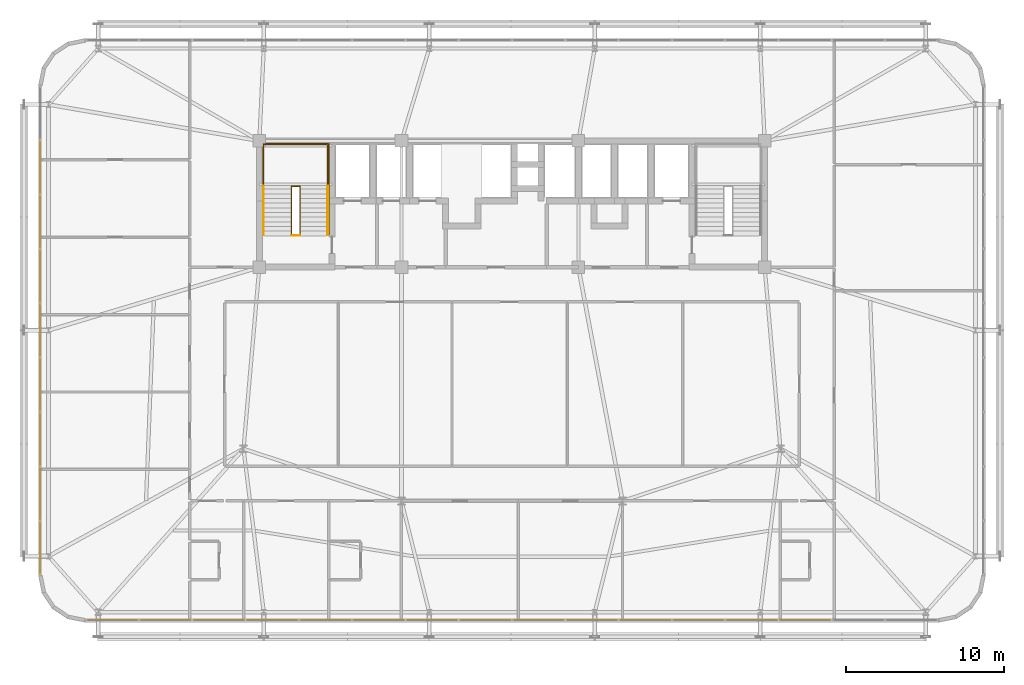
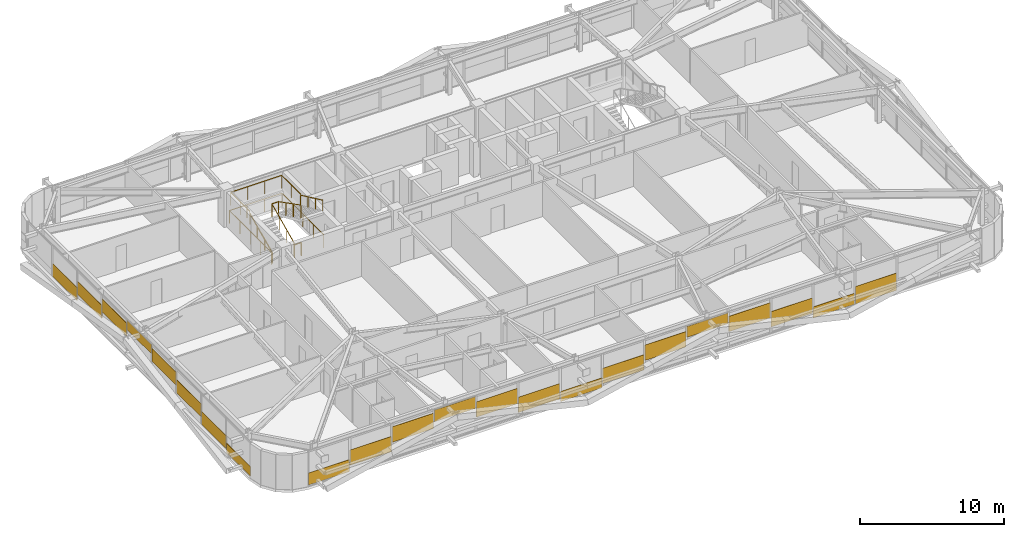
# One storey, part 56 of 58: 22 coverings, 6 railings.
"""IFC4 building model written with IfcOpenShell, lengths in metres."""

from ifc_helpers import new_model, si_unit, direction, frame, origin, origin_2d, place, context, subcontext, project, spatial, rectangle, extrude, source, transform, mapped, material, layer, layer_set, type_object, element, save


model = new_model("IFC4")

# Units and contexts
model_context = context("Model", 3, precision=1e-05, world=origin(), true_north=direction((0.0, 1.0)))
body_context = subcontext(model_context, "Body", "Model", "MODEL_VIEW")
ifc_project = project(units=[si_unit("LENGTHUNIT", "METRE"), si_unit("AREAUNIT", "SQUARE_METRE"), si_unit("VOLUMEUNIT", "CUBIC_METRE"), si_unit("PLANEANGLEUNIT", "RADIAN"), si_unit("MASSUNIT", "GRAM", prefix="KILO")], contexts=[model_context])

# Site, building, storey
site_placement = place(None, origin())
site = spatial("IfcSite", under=ifc_project, at=site_placement, CompositionType="ELEMENT")
building_placement = place(site_placement, origin())
building = spatial("IfcBuilding", under=site, at=building_placement, Name="Taldren Reach Tower", CompositionType="ELEMENT")
storey_placement = place(building_placement, frame((0.0, 0.0, 35.699951171875)))
storey = spatial("IfcBuildingStorey", under=building, at=storey_placement, Name="L10", CompositionType="ELEMENT", Elevation=35.699951171875)

# Railings
ifc_material_1 = material(Name="Steel Gr 350 (C350L0)", Category="steel")
ifc_layer_1 = layer(ifc_material_1, 0.050048828125)
ifc_layer_set_1 = layer_set([ifc_layer_1], Name="Steel Gr 350 (C350L0)")
railing_type_1 = type_object("IfcRailingType", Name="RL-STAIR-GR", PredefinedType="GUARDRAIL", material=ifc_layer_set_1)
railing_1_placement = place(storey_placement, frame((19.260009765625, 29.135009765625, 1.574951171875)))
element("IfcRailing", 1, at=railing_1_placement, inside=storey, type_object=railing_type_1, Name="Stair half-landing perimeter guard ST1-L10", PredefinedType="GUARDRAIL", context=body_context, shape_type="SweptSolid", body=[
    extrude(rectangle(XDim=0.047852, YDim=0.047852, at=origin_2d()), frame((0.0, 0.0, 1.09619140625), z_axis=(0.0, 1.0, 0.0), x_axis=(-1.0, 0.0, 0.0)), (0.0, 0.0, 1.0), 2.64501953125),
    extrude(rectangle(XDim=0.047852, YDim=0.047852, at=origin_2d()), frame((0.0, 2.64501953125, 1.09619140625), z_axis=(1.0, 0.0, 0.0), x_axis=(0.0, 1.0, 0.0)), (0.0, 0.0, 1.0), 4.080078125),
    extrude(rectangle(XDim=0.047852, YDim=0.047852, at=origin_2d()), frame((4.080078125, 2.64501953125, 1.09619140625), z_axis=(0.0, -1.0, 0.0), x_axis=(1.0, 0.0, 0.0)), (0.0, 0.0, 1.0), 2.64501953125),
    extrude(rectangle(XDim=0.041992, YDim=0.041992, at=origin_2d()), origin(), (0.0, 0.0, 1.0), 1.072021484375),
    extrude(rectangle(XDim=0.041992, YDim=0.041992, at=origin_2d()), frame((0.0, 1.322509765625, 0.0)), (0.0, 0.0, 1.0), 1.072021484375),
    extrude(rectangle(XDim=0.041992, YDim=0.041992, at=origin_2d()), frame((0.0, 2.64501953125, 0.0)), (0.0, 0.0, 1.0), 1.072021484375),
    extrude(rectangle(XDim=0.041992, YDim=0.041992, at=origin_2d()), frame((1.360107421875, 2.64501953125, 0.0)), (0.0, 0.0, 1.0), 1.072021484375),
    extrude(rectangle(XDim=0.041992, YDim=0.041992, at=origin_2d()), frame((2.719970703125, 2.64501953125, 0.0)), (0.0, 0.0, 1.0), 1.072021484375),
    extrude(rectangle(XDim=0.041992, YDim=0.041992, at=origin_2d()), frame((4.080078125, 2.64501953125, 0.0)), (0.0, 0.0, 1.0), 1.072021484375),
    extrude(rectangle(XDim=0.041992, YDim=0.041992, at=origin_2d()), frame((4.080078125, 1.322509765625, 0.0)), (0.0, 0.0, 1.0), 1.072021484375),
    extrude(rectangle(XDim=0.041992, YDim=0.041992, at=origin_2d()), frame((4.080078125, 0.0, 0.0)), (0.0, 0.0, 1.0), 1.072021484375),
])
railing_2_placement = place(storey_placement, frame((21.030029296875, 26.050048828125, 0.13134765625)))
element("IfcRailing", 2, at=railing_2_placement, inside=storey, type_object=railing_type_1, Name="Stairwell inner guard ST1-L10", PredefinedType="GUARDRAIL", context=body_context, shape_type="SweptSolid", body=[
    extrude(rectangle(XDim=0.047852, YDim=0.047852, at=origin_2d()), frame((0.0, 0.0, 1.09619140625), z_axis=(0.0, 0.905737652094, 0.423838773095), x_axis=(-1.0, 0.0, 0.0)), (0.0, 0.0, 1.0), 3.406005859375),
    extrude(rectangle(XDim=0.047852, YDim=0.047852, at=origin_2d()), frame((0.0, 3.0849609375, 2.53955078125), z_axis=(1.0, 0.0, 0.0), x_axis=(0.0, 1.0, 0.0)), (0.0, 0.0, 1.0), 0.5400390625),
    extrude(rectangle(XDim=0.047852, YDim=0.047852, at=origin_2d()), frame((0.5400390625, 3.0849609375, 2.53955078125), z_axis=(0.0, -0.890617412389, 0.454753366946), x_axis=(1.0, 0.0, 0.0)), (0.0, 0.0, 1.0), 3.4638671875),
    extrude(rectangle(XDim=0.041992, YDim=0.041992, at=origin_2d()), origin(), (0.0, 0.0, 1.0), 1.072021484375),
    extrude(rectangle(XDim=0.041992, YDim=0.041992, at=origin_2d()), frame((0.0, 1.0283203125, 0.481201171875)), (0.0, 0.0, 1.0), 1.072021484375),
    extrude(rectangle(XDim=0.041992, YDim=0.041992, at=origin_2d()), frame((0.0, 2.056640625, 0.96240234375)), (0.0, 0.0, 1.0), 1.072021484375),
    extrude(rectangle(XDim=0.041992, YDim=0.041992, at=origin_2d()), frame((0.0, 3.0849609375, 1.443603515625)), (0.0, 0.0, 1.0), 1.072021484375),
    extrude(rectangle(XDim=0.041992, YDim=0.041992, at=origin_2d()), frame((0.5400390625, 3.0849609375, 1.443603515625)), (0.0, 0.0, 1.0), 1.072021484375),
    extrude(rectangle(XDim=0.041992, YDim=0.041992, at=origin_2d()), frame((0.5400390625, 2.056640625, 1.96875)), (0.0, 0.0, 1.0), 1.072021484375),
    extrude(rectangle(XDim=0.041992, YDim=0.041992, at=origin_2d()), frame((0.5400390625, 1.0283203125, 2.49365234375)), (0.0, 0.0, 1.0), 1.072021484375),
    extrude(rectangle(XDim=0.041992, YDim=0.041992, at=origin_2d()), frame((0.5400390625, 0.0, 3.018798828125)), (0.0, 0.0, 1.0), 1.072021484375),
])
railing_3_placement = place(storey_placement, frame((21.030029296875, 26.010009765625, 0.0)))
element("IfcRailing", 3, at=railing_3_placement, inside=storey, type_object=railing_type_1, Name="Stairwell landing slot guard ST1-L10", PredefinedType="GUARDRAIL", context=body_context, shape_type="SweptSolid", body=[
    extrude(rectangle(XDim=0.047852, YDim=0.047852, at=origin_2d()), frame((0.0, 0.0, 1.09619140625), z_axis=(1.0, 0.0, 0.0), x_axis=(0.0, 1.0, 0.0)), (0.0, 0.0, 1.0), 0.5400390625),
    extrude(rectangle(XDim=0.041992, YDim=0.041992, at=origin_2d()), origin(), (0.0, 0.0, 1.0), 1.072021484375),
    extrude(rectangle(XDim=0.041992, YDim=0.041992, at=origin_2d()), frame((0.5400390625, 0.0, 0.0)), (0.0, 0.0, 1.0), 1.072021484375),
])
railing_4_placement = place(storey_placement, frame((19.18994140625, 26.050048828125, 0.0)))
element("IfcRailing", 4, at=railing_4_placement, inside=storey, type_object=railing_type_1, Name="Stairwell floor opening guard ST1-L10", PredefinedType="GUARDRAIL", context=body_context, shape_type="SweptSolid", body=[
    extrude(rectangle(XDim=0.047852, YDim=0.047852, at=origin_2d()), frame((0.0, 0.0, 1.09619140625), z_axis=(0.0, 1.0, 0.0), x_axis=(-1.0, 0.0, 0.0)), (0.0, 0.0, 1.0), 5.800048828125),
    extrude(rectangle(XDim=0.047852, YDim=0.047852, at=origin_2d()), frame((0.0, 5.800048828125, 1.09619140625), z_axis=(1.0, 0.0, 0.0), x_axis=(0.0, 1.0, 0.0)), (0.0, 0.0, 1.0), 4.219970703125),
    extrude(rectangle(XDim=0.047852, YDim=0.047852, at=origin_2d()), frame((4.219970703125, 5.800048828125, 1.09619140625), z_axis=(0.0, -1.0, 0.0), x_axis=(1.0, 0.0, 0.0)), (0.0, 0.0, 1.0), 5.800048828125),
    extrude(rectangle(XDim=0.041992, YDim=0.041992, at=origin_2d()), origin(), (0.0, 0.0, 1.0), 1.072021484375),
    extrude(rectangle(XDim=0.041992, YDim=0.041992, at=origin_2d()), frame((0.0, 1.449951171875, 0.0)), (0.0, 0.0, 1.0), 1.072021484375),
    extrude(rectangle(XDim=0.041992, YDim=0.041992, at=origin_2d()), frame((0.0, 2.89990234375, 0.0)), (0.0, 0.0, 1.0), 1.072021484375),
    extrude(rectangle(XDim=0.041992, YDim=0.041992, at=origin_2d()), frame((0.0, 4.35009765625, 0.0)), (0.0, 0.0, 1.0), 1.072021484375),
    extrude(rectangle(XDim=0.041992, YDim=0.041992, at=origin_2d()), frame((0.0, 5.800048828125, 0.0)), (0.0, 0.0, 1.0), 1.072021484375),
    extrude(rectangle(XDim=0.041992, YDim=0.041992, at=origin_2d()), frame((1.40673828125, 5.800048828125, 0.0)), (0.0, 0.0, 1.0), 1.072021484375),
    extrude(rectangle(XDim=0.041992, YDim=0.041992, at=origin_2d()), frame((2.813232421875, 5.800048828125, 0.0)), (0.0, 0.0, 1.0), 1.072021484375),
    extrude(rectangle(XDim=0.041992, YDim=0.041992, at=origin_2d()), frame((4.219970703125, 5.800048828125, 0.0)), (0.0, 0.0, 1.0), 1.072021484375),
    extrude(rectangle(XDim=0.041992, YDim=0.041992, at=origin_2d()), frame((4.219970703125, 4.35009765625, 0.0)), (0.0, 0.0, 1.0), 1.072021484375),
    extrude(rectangle(XDim=0.041992, YDim=0.041992, at=origin_2d()), frame((4.219970703125, 2.89990234375, 0.0)), (0.0, 0.0, 1.0), 1.072021484375),
    extrude(rectangle(XDim=0.041992, YDim=0.041992, at=origin_2d()), frame((4.219970703125, 1.449951171875, 0.0)), (0.0, 0.0, 1.0), 1.072021484375),
    extrude(rectangle(XDim=0.041992, YDim=0.041992, at=origin_2d()), frame((4.219970703125, 0.0, 0.0)), (0.0, 0.0, 1.0), 1.072021484375),
])
ifc_material_2 = material(Name="Stainless Steel Gr 316", Category="steel")
ifc_layer_2 = layer(ifc_material_2, 0.048095703125)
ifc_layer_set_2 = layer_set([ifc_layer_2], Name="Stainless Steel Gr 316")
railing_type_2 = type_object("IfcRailingType", Name="RL-STAIR-HR", PredefinedType="HANDRAIL", material=ifc_layer_set_2)
railing_5_placement = place(storey_placement, frame((19.27001953125, 26.050048828125, 0.13134765625)))
element("IfcRailing", 5, at=railing_5_placement, inside=storey, type_object=railing_type_2, Name="Stair flight handrail ST1-L10-1", PredefinedType="HANDRAIL", context=body_context, shape_type="SweptSolid", body=[
    extrude(rectangle(XDim=0.047852, YDim=0.047852, at=origin_2d()), frame((0.0, 0.0, 0.89599609375), z_axis=(0.0, 0.905737652094, 0.423838773095), x_axis=(-1.0, 0.0, 0.0)), (0.0, 0.0, 1.0), 3.406005859375),
    extrude(rectangle(XDim=0.041992, YDim=0.041992, at=origin_2d()), origin(), (0.0, 0.0, 1.0), 0.871826171875),
    extrude(rectangle(XDim=0.041992, YDim=0.041992, at=origin_2d()), frame((0.0, 1.0283203125, 0.481201171875)), (0.0, 0.0, 1.0), 0.871826171875),
    extrude(rectangle(XDim=0.041992, YDim=0.041992, at=origin_2d()), frame((0.0, 2.056640625, 0.96240234375)), (0.0, 0.0, 1.0), 0.871826171875),
    extrude(rectangle(XDim=0.041992, YDim=0.041992, at=origin_2d()), frame((0.0, 3.0849609375, 1.443603515625)), (0.0, 0.0, 1.0), 0.871826171875),
])
railing_6_placement = place(storey_placement, frame((23.330078125, 29.135009765625, 1.706298828125)))
element("IfcRailing", 6, at=railing_6_placement, inside=storey, type_object=railing_type_2, Name="Stair flight handrail ST1-L10-2", PredefinedType="HANDRAIL", context=body_context, shape_type="SweptSolid", body=[
    extrude(rectangle(XDim=0.047852, YDim=0.047852, at=origin_2d()), frame((0.0, 0.0, 0.89599609375), z_axis=(0.0, -0.905710134349, 0.423897573167), x_axis=(1.0, 0.0, 0.0)), (0.0, 0.0, 1.0), 3.406005859375),
    extrude(rectangle(XDim=0.041992, YDim=0.041992, at=origin_2d()), origin(), (0.0, 0.0, 1.0), 0.871826171875),
    extrude(rectangle(XDim=0.041992, YDim=0.041992, at=origin_2d()), frame((0.0, -1.0283203125, 0.481201171875)), (0.0, 0.0, 1.0), 0.871826171875),
    extrude(rectangle(XDim=0.041992, YDim=0.041992, at=origin_2d()), frame((0.0, -2.056640625, 0.962646484375)), (0.0, 0.0, 1.0), 0.871826171875),
    extrude(rectangle(XDim=0.041992, YDim=0.041992, at=origin_2d()), frame((0.0, -3.0849609375, 1.44384765625)), (0.0, 0.0, 1.0), 0.871826171875),
])

# Coverings
ifc_material_3 = material(Name="Pale Champagne Fluoropolymer Aluminium Spandrel Cladding", Category="aluminium")
ifc_layer_3 = layer(ifc_material_3, 0.0439453125)
ifc_layer_set_3 = layer_set([ifc_layer_3], Name="Pale Champagne Fluoropolymer Aluminium Spandrel Cladding")
covering_type = type_object("IfcCoveringType", Name="CV-CLAD-044", PredefinedType="CLADDING", material=ifc_layer_set_3)
shared_shape_1 = source(origin(), body_context, "Body", "SweptSolid", [
    extrude(rectangle(XDim=3.31005859375, YDim=0.0439453125, at=origin_2d()), origin(), (0.0, 0.0, 1.0), 1.301025390625),
])
for number, where, z_axis, x_axis, name in (
    (7, (13.0625, 1.639892578125, 0.55810546875), (0.0, 0.0, 1.0), (1.0, 0.0, 0.0), "Diagrid closure cladding strip CW-2 panel 2.1 1"),
    (8, (16.4375, 1.639892578125, 1.34033203125), (0.0, 0.0, 1.0), (1.0, 0.0, 0.0), "Diagrid closure cladding strip CW-2 panel 3.1 1"),
    (9, (23.1875, 1.639892578125, 1.09326171875), (0.0, 0.0, 1.0), (1.0, 0.0, 0.0), "Diagrid closure cladding strip CW-2 panel 5.1 1"),
    (10, (26.5625, 1.639892578125, 0.31103515625), (0.0, 0.0, 1.0), (1.0, 0.0, 0.0), "Diagrid closure cladding strip CW-2 panel 6.1 1"),
    (11, (33.3125, 1.639892578125, 0.39306640625), (0.0, 0.0, 1.0), (1.0, 0.0, 0.0), "Diagrid closure cladding strip CW-2 panel 8.1 1"),
    (12, (36.6875, 1.639892578125, 1.17578125), (0.0, 0.0, 1.0), (1.0, 0.0, 0.0), "Diagrid closure cladding strip CW-2 panel 9.1 1"),
    (13, (43.4375, 1.639892578125, 1.25830078125), (0.0, 0.0, 1.0), (1.0, 0.0, 0.0), "Diagrid closure cladding strip CW-2 panel 11.1 1"),
    (14, (46.8125, 1.639892578125, 0.4755859375), (0.0, 0.0, 1.0), (1.0, 0.0, 0.0), "Diagrid closure cladding strip CW-2 panel 12.1 1"),
):
    element("IfcCovering", number, at=place(storey_placement, frame(where, z_axis=z_axis, x_axis=x_axis)), inside=storey, type_object=covering_type, Name=name, PredefinedType="CLADDING", context=body_context, shape_type="MappedRepresentation", body=[
        mapped(shared_shape_1, transform((0.0, 0.0, 0.0), scale=1.0)),
    ])
shared_shape_2 = source(origin(), body_context, "Body", "SweptSolid", [
    extrude(rectangle(XDim=3.31005859375, YDim=0.0439453125, at=origin_2d()), origin(), (0.0, 0.0, 1.0), 1.474609375),
])
covering_1_placement = place(storey_placement, frame((53.5625, 1.639892578125, 0.054931640625), z_axis=(0.0, 0.0, 1.0), x_axis=(1.0, 0.0, 0.0)))
element("IfcCovering", 15, at=covering_1_placement, inside=storey, type_object=covering_type, Name="Diagrid closure cladding strip CW-2 panel 14.1 1", PredefinedType="CLADDING", context=body_context, shape_type="MappedRepresentation", body=[
    mapped(shared_shape_2, transform((0.0, 0.0, 0.0), scale=1.0)),
])
shared_shape_3 = source(origin(), body_context, "Body", "SweptSolid", [
    extrude(rectangle(XDim=3.31005859375, YDim=0.0439453125, at=origin_2d()), origin(), (0.0, 0.0, 1.0), 0.93896484375),
])
covering_2_placement = place(storey_placement, frame((50.1875, 1.639892578125, 0.05517578125), z_axis=(0.0, 0.0, 1.0), x_axis=(1.0, 0.0, 0.0)))
element("IfcCovering", 16, at=covering_2_placement, inside=storey, type_object=covering_type, Name="Diagrid closure cladding strip CW-2 panel 13.1 1", PredefinedType="CLADDING", context=body_context, shape_type="MappedRepresentation", body=[
    mapped(shared_shape_3, transform((0.0, 0.0, 0.0), scale=1.0)),
])
shared_shape_4 = source(origin(), body_context, "Body", "SweptSolid", [
    extrude(rectangle(XDim=3.31005859375, YDim=0.0439453125, at=origin_2d()), origin(), (0.0, 0.0, 1.0), 0.916748046875),
])
covering_3_placement = place(storey_placement, frame((40.0625, 1.639892578125, 1.95849609375), z_axis=(0.0, 0.0, 1.0), x_axis=(1.0, 0.0, 0.0)))
element("IfcCovering", 17, at=covering_3_placement, inside=storey, type_object=covering_type, Name="Diagrid closure cladding strip CW-2 panel 10.1 1", PredefinedType="CLADDING", context=body_context, shape_type="MappedRepresentation", body=[
    mapped(shared_shape_4, transform((0.0, 0.0, 0.0), scale=1.0)),
])
shared_shape_5 = source(origin(), body_context, "Body", "SweptSolid", [
    extrude(rectangle(XDim=3.31005859375, YDim=0.0439453125, at=origin_2d()), origin(), (0.0, 0.0, 1.0), 0.856689453125),
])
covering_4_placement = place(storey_placement, frame((29.9375, 1.639892578125, 0.05517578125), z_axis=(0.0, 0.0, 1.0), x_axis=(1.0, 0.0, 0.0)))
element("IfcCovering", 18, at=covering_4_placement, inside=storey, type_object=covering_type, Name="Diagrid closure cladding strip CW-2 panel 7.1 1", PredefinedType="CLADDING", context=body_context, shape_type="MappedRepresentation", body=[
    mapped(shared_shape_5, transform((0.0, 0.0, 0.0), scale=1.0)),
])
shared_shape_6 = source(origin(), body_context, "Body", "SweptSolid", [
    extrude(rectangle(XDim=3.31005859375, YDim=0.0439453125, at=origin_2d()), origin(), (0.0, 0.0, 1.0), 0.9990234375),
])
covering_5_placement = place(storey_placement, frame((19.8125, 1.639892578125, 1.8759765625), z_axis=(0.0, 0.0, 1.0), x_axis=(1.0, 0.0, 0.0)))
element("IfcCovering", 19, at=covering_5_placement, inside=storey, type_object=covering_type, Name="Diagrid closure cladding strip CW-2 panel 4.1 1", PredefinedType="CLADDING", context=body_context, shape_type="MappedRepresentation", body=[
    mapped(shared_shape_6, transform((0.0, 0.0, 0.0), scale=1.0)),
])
shared_shape_7 = source(origin(), body_context, "Body", "SweptSolid", [
    extrude(rectangle(XDim=3.277587890625, YDim=0.0439453125, at=origin_2d()), origin(), (0.0, 0.0, 1.0), 1.021240234375),
])
covering_6_placement = place(storey_placement, frame((9.703857421875, 1.639892578125, 0.05517578125), z_axis=(0.0, 0.0, 1.0), x_axis=(1.0, 0.0, 0.0)))
element("IfcCovering", 20, at=covering_6_placement, inside=storey, type_object=covering_type, Name="Diagrid closure cladding strip CW-2 panel 1.1 1", PredefinedType="CLADDING", context=body_context, shape_type="MappedRepresentation", body=[
    mapped(shared_shape_7, transform((0.0, 0.0, 0.0), scale=1.0)),
])
shared_shape_8 = source(origin(), body_context, "Body", "SweptSolid", [
    extrude(rectangle(XDim=3.37939453125, YDim=0.0439453125, at=origin_2d()), origin(), (0.0, 0.0, 1.0), 1.1015625),
])
for number, where, z_axis, x_axis, name in (
    (21, (5.139892578125, 30.333251953125, 0.34326171875), (0.0, 0.0, 1.0), (0.0, -1.0, 0.0), "Diagrid closure cladding strip CW-2 panel 2.1 1"),
    (22, (5.139892578125, 26.888916015625, 0.9287109375), (0.0, 0.0, 1.0), (0.0, -1.0, 0.0), "Diagrid closure cladding strip CW-2 panel 3.1 1"),
    (23, (5.139892578125, 23.4443359375, 1.513916015625), (0.0, 0.0, 1.0), (0.0, -1.0, 0.0), "Diagrid closure cladding strip CW-2 panel 4.1 1"),
    (24, (5.139892578125, 16.5556640625, 1.513916015625), (0.0, 0.0, 1.0), (0.0, -1.0, 0.0), "Diagrid closure cladding strip CW-2 panel 6.1 1"),
    (25, (5.139892578125, 13.111083984375, 0.9287109375), (0.0, 0.0, 1.0), (0.0, -1.0, 0.0), "Diagrid closure cladding strip CW-2 panel 7.1 1"),
    (26, (5.139892578125, 9.666748046875, 0.34326171875), (0.0, 0.0, 1.0), (0.0, -1.0, 0.0), "Diagrid closure cladding strip CW-2 panel 8.1 1"),
):
    element("IfcCovering", number, at=place(storey_placement, frame(where, z_axis=z_axis, x_axis=x_axis)), inside=storey, type_object=covering_type, Name=name, PredefinedType="CLADDING", context=body_context, shape_type="MappedRepresentation", body=[
        mapped(shared_shape_8, transform((0.0, 0.0, 0.0), scale=1.0)),
    ])
shared_shape_9 = source(origin(), body_context, "Body", "SweptSolid", [
    extrude(rectangle(XDim=3.346923828125, YDim=0.0439453125, at=origin_2d()), origin(), (0.0, 0.0, 1.0), 0.804443359375),
])
covering_7_placement = place(storey_placement, frame((5.139892578125, 6.238525390625, 0.05517578125), z_axis=(0.0, 0.0, 1.0), x_axis=(0.0, -1.0, 0.0)))
element("IfcCovering", 27, at=covering_7_placement, inside=storey, type_object=covering_type, Name="Diagrid closure cladding strip CW-2 panel 9.1 1", PredefinedType="CLADDING", context=body_context, shape_type="MappedRepresentation", body=[
    mapped(shared_shape_9, transform((0.0, 0.0, 0.0), scale=1.0)),
])
shared_shape_10 = source(origin(), body_context, "Body", "SweptSolid", [
    extrude(rectangle(XDim=3.37939453125, YDim=0.0439453125, at=origin_2d()), origin(), (0.0, 0.0, 1.0), 0.77587890625),
])
covering_8_placement = place(storey_placement, frame((5.139892578125, 20.0, 2.09912109375), z_axis=(0.0, 0.0, 1.0), x_axis=(0.0, -1.0, 0.0)))
element("IfcCovering", 28, at=covering_8_placement, inside=storey, type_object=covering_type, Name="Diagrid closure cladding strip CW-2 panel 5.1 1", PredefinedType="CLADDING", context=body_context, shape_type="MappedRepresentation", body=[
    mapped(shared_shape_10, transform((0.0, 0.0, 0.0), scale=1.0)),
])

save(model, "model.ifc")
